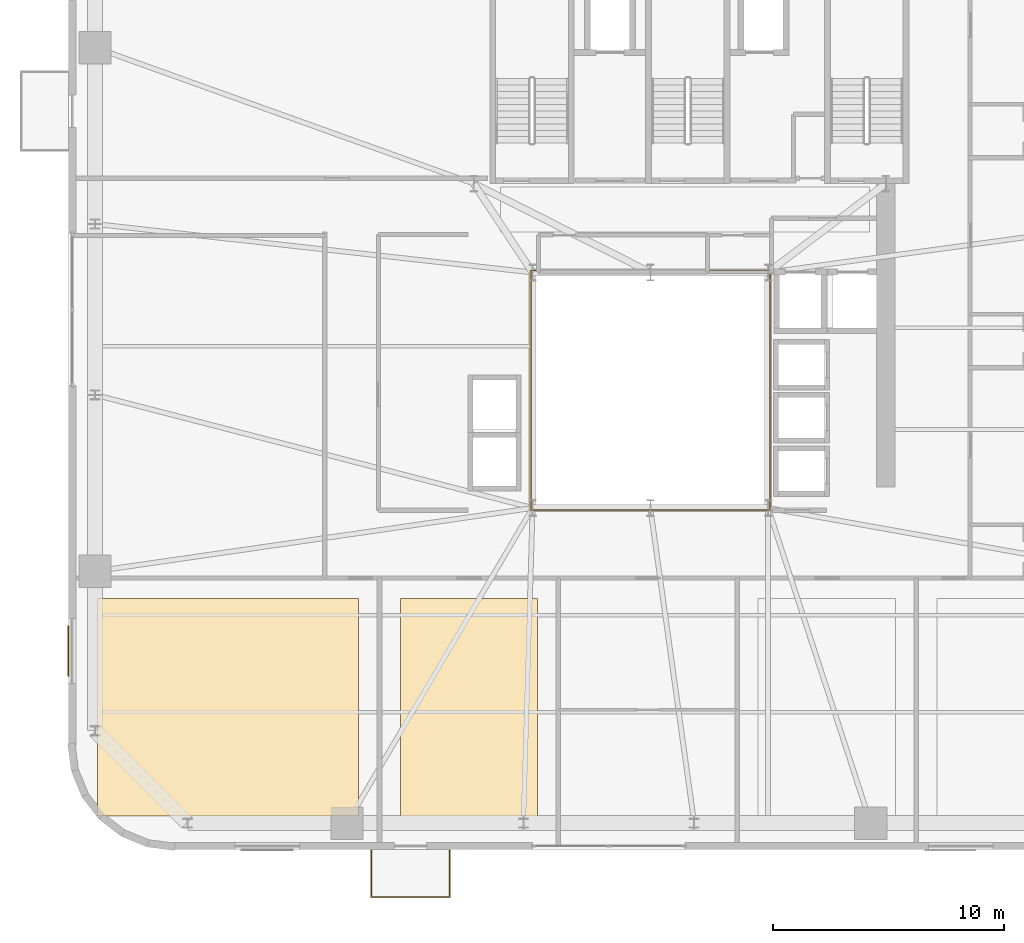
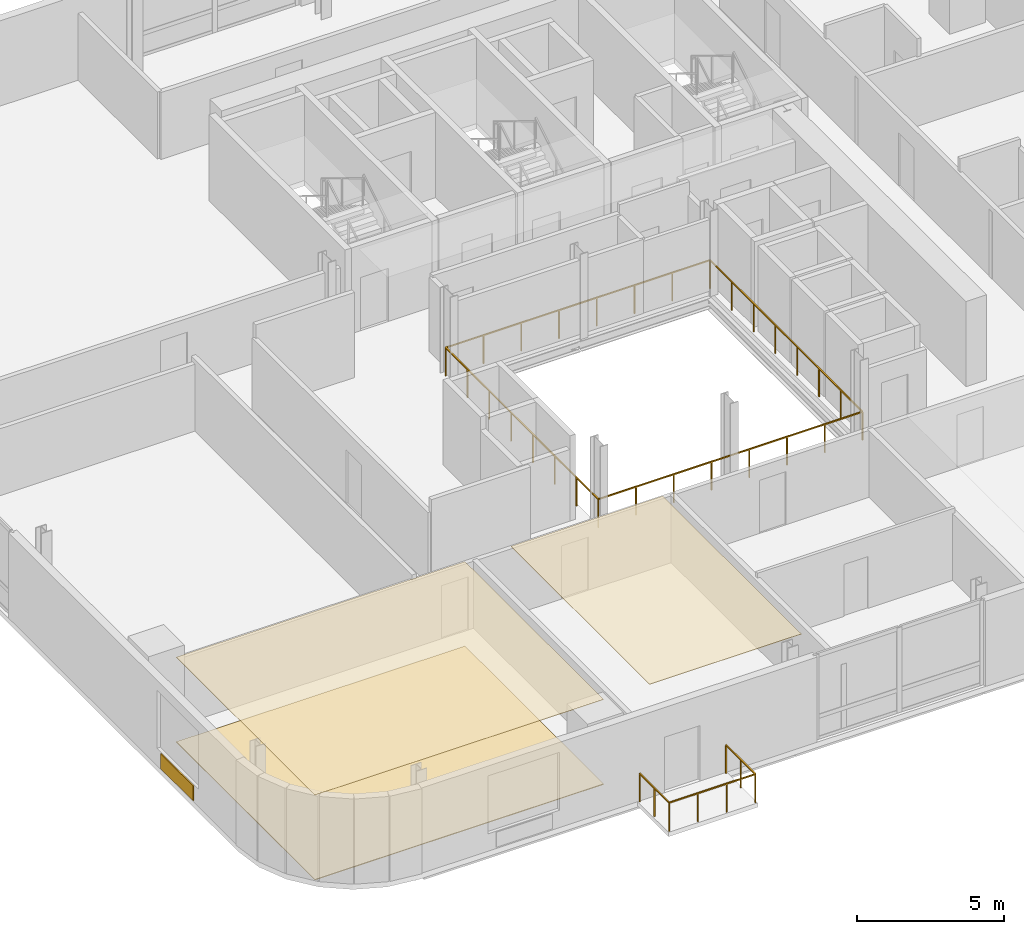
# One storey, part 12 of 16: 4 coverings, 2 railings.
"""IFC4 building model written with IfcOpenShell, lengths in metres."""

from ifc_helpers import new_model, si_unit, direction, frame, origin, origin_2d, place, context, subcontext, project, spatial, polyline, rectangle, outline, extrude, source, transform, mapped, material, layer, layer_set, type_object, element, save


model = new_model("IFC4")

# Units and contexts
model_context = context("Model", 3, precision=1e-05, world=origin(), true_north=direction((0.0, 1.0)))
body_context = subcontext(model_context, "Body", "Model", "MODEL_VIEW")
ifc_project = project(units=[si_unit("LENGTHUNIT", "METRE"), si_unit("AREAUNIT", "SQUARE_METRE"), si_unit("VOLUMEUNIT", "CUBIC_METRE"), si_unit("PLANEANGLEUNIT", "RADIAN"), si_unit("MASSUNIT", "GRAM", prefix="KILO")], contexts=[model_context])

# Site, building, storey
site_placement = place(None, origin())
site = spatial("IfcSite", under=ifc_project, at=site_placement, CompositionType="ELEMENT")
building_placement = place(site_placement, origin())
building = spatial("IfcBuilding", under=site, at=building_placement, Name="Vardaveli Station Tower", CompositionType="ELEMENT")
storey_placement = place(building_placement, frame((0.0, 0.0, 188.550048828125)))
storey = spatial("IfcBuildingStorey", under=building, at=storey_placement, Name="L48", CompositionType="ELEMENT", Elevation=188.550048828125)

# Coverings
ifc_material_1 = material(Name="Perforated acoustic mineral ceiling")
ifc_layer_1 = layer(ifc_material_1, 0.02001953125, Name="Perforated acoustic mineral ceiling")
ifc_layer_set_1 = layer_set([ifc_layer_1], Name="Perforated acoustic mineral ceiling")
covering_type_1 = type_object("IfcCoveringType", Name="COV-CEIL-AC20", PredefinedType="CEILING", material=ifc_layer_set_1)
covering_1_placement = place(storey_placement, frame((0.0, 0.0, 3.514892578125)))
element("IfcCovering", 1, at=covering_1_placement, inside=storey, type_object=covering_type_1, Name="CEIL-L48-1", PredefinedType="CEILING", context=body_context, shape_type="SweptSolid", body=[
    extrude(outline(polyline([(12.35009765625, 3.25), (23.669921875, 3.25), (23.669921875, 12.669921875), (12.35009765625, 12.669921875), (12.35009765625, 3.25)])), origin(), (0.0, 0.0, 1.0), 0.02001953125),
])
covering_2_placement = place(storey_placement, frame((0.0, 0.0, 3.514892578125)))
element("IfcCovering", 2, at=covering_2_placement, inside=storey, type_object=covering_type_1, Name="CEIL-L48-2", PredefinedType="CEILING", context=body_context, shape_type="SweptSolid", body=[
    extrude(outline(polyline([(25.469970703125, 3.25), (31.419921875, 3.25), (31.419921875, 12.669921875), (25.469970703125, 12.669921875), (25.469970703125, 3.25)])), origin(), (0.0, 0.0, 1.0), 0.02001953125),
])
ifc_material_2 = material(Name="Honed Caucasian basalt and travertine flooring", Category="masonry")
ifc_layer_2 = layer(ifc_material_2, 0.030029296875, Name="Honed Caucasian basalt and travertine flooring")
ifc_layer_set_2 = layer_set([ifc_layer_2], Name="Honed Caucasian basalt and travertine flooring")
covering_type_2 = type_object("IfcCoveringType", Name="COV-FLOOR-ST30", PredefinedType="FLOORING", material=ifc_layer_set_2)
covering_3_placement = place(storey_placement, origin())
element("IfcCovering", 3, at=covering_3_placement, inside=storey, type_object=covering_type_2, Name="FLR-L48-1", PredefinedType="FLOORING", context=body_context, shape_type="SweptSolid", body=[
    extrude(outline(polyline([(12.35009765625, 3.25), (23.669921875, 3.25), (23.669921875, 12.669921875), (12.35009765625, 12.669921875), (12.35009765625, 3.25)])), origin(), (0.0, 0.0, 1.0), 0.030029296875),
])
ifc_material_3 = material(Name="Ventilated honed travertine stone cladding", Category="masonry")
ifc_layer_3 = layer(ifc_material_3, 0.044921875, Name="Ventilated honed travertine stone cladding")
ifc_layer_set_3 = layer_set([ifc_layer_3], Name="Ventilated honed travertine stone cladding")
covering_type_3 = type_object("IfcCoveringType", Name="COV-CLAD-TR45", PredefinedType="CLADDING", material=ifc_layer_set_3)
shared_shape_1 = source(origin(), body_context, "Body", "SweptSolid", [
    extrude(rectangle(XDim=2.199951171875, YDim=0.044921875, at=origin_2d()), origin(), (0.0, 0.0, 1.0), 0.6201171875),
])
covering_4_placement = place(storey_placement, frame((11.08544921875, 10.405029296875, 0.06982421875), z_axis=(0.0, 0.0, 1.0), x_axis=(0.0, 1.0, 0.0)))
element("IfcCovering", 4, at=covering_4_placement, inside=storey, type_object=covering_type_3, Name="CLD-TR-L48-W", PredefinedType="CLADDING", context=body_context, shape_type="MappedRepresentation", body=[
    mapped(shared_shape_1, transform((0.0, 0.0, 0.0), scale=1.0)),
])

# Railings
ifc_material_4 = material(Name="Laminated glass and stainless steel balustrade", Category="steel")
railing_type = type_object("IfcRailingType", Name="RL-BAL-1200", PredefinedType="BALUSTRADE", material=ifc_material_4)
shared_shape_2 = source(origin(), body_context, "Body", "SweptSolid", [
    extrude(rectangle(XDim=0.048095703125, YDim=0.048095703125, at=origin_2d()), frame((0.0, 0.0, 1.17578125), z_axis=(0.0, -1.0, 0.0), x_axis=(1.0, 0.0, 0.0)), (0.0, 0.0, 1.0), 2.0),
    extrude(rectangle(XDim=0.048095703125, YDim=0.048095703125, at=origin_2d()), frame((0.0, -2.0, 1.17578125), z_axis=(1.0, 0.0, 0.0), x_axis=(0.0, 1.0, 0.0)), (0.0, 0.0, 1.0), 3.3798828125),
    extrude(rectangle(XDim=0.048095703125, YDim=0.048095703125, at=origin_2d()), frame((3.3798828125, -2.0, 1.17578125), z_axis=(0.0, 1.0, 0.0), x_axis=(-1.0, 0.0, 0.0)), (0.0, 0.0, 1.0), 2.0),
    extrude(rectangle(XDim=0.0419921875, YDim=0.0419921875, at=origin_2d()), origin(), (0.0, 0.0, 1.0), 1.15185546875),
    extrude(rectangle(XDim=0.0419921875, YDim=0.0419921875, at=origin_2d()), frame((0.0, -1.0, 0.0)), (0.0, 0.0, 1.0), 1.15185546875),
    extrude(rectangle(XDim=0.0419921875, YDim=0.0419921875, at=origin_2d()), frame((0.0, -2.0, 0.0)), (0.0, 0.0, 1.0), 1.15185546875),
    extrude(rectangle(XDim=0.0419921875, YDim=0.0419921875, at=origin_2d()), frame((1.126708984375, -2.0, 0.0)), (0.0, 0.0, 1.0), 1.15185546875),
    extrude(rectangle(XDim=0.0419921875, YDim=0.0419921875, at=origin_2d()), frame((2.253173828125, -2.0, 0.0)), (0.0, 0.0, 1.0), 1.15185546875),
    extrude(rectangle(XDim=0.0419921875, YDim=0.0419921875, at=origin_2d()), frame((3.3798828125, -2.0, 0.0)), (0.0, 0.0, 1.0), 1.15185546875),
    extrude(rectangle(XDim=0.0419921875, YDim=0.0419921875, at=origin_2d()), frame((3.3798828125, -1.0, 0.0)), (0.0, 0.0, 1.0), 1.15185546875),
    extrude(rectangle(XDim=0.0419921875, YDim=0.0419921875, at=origin_2d()), frame((3.3798828125, 0.0, 0.0)), (0.0, 0.0, 1.0), 1.15185546875),
])
railing_1_placement = place(storey_placement, frame((24.220458984375, 1.760009765625, 0.0)))
element("IfcRailing", 5, at=railing_1_placement, inside=storey, type_object=railing_type, Name="RL-LOG-L48-01", PredefinedType="BALUSTRADE", context=body_context, shape_type="MappedRepresentation", body=[
    mapped(shared_shape_2, transform((0.0, 0.0, 0.0), scale=1.0)),
])
shared_shape_3 = source(origin(), body_context, "Body", "SweptSolid", [
    extrude(rectangle(XDim=0.048095703125, YDim=0.048095703125, at=origin_2d()), frame((0.0, 0.0, 1.17578125), z_axis=(1.0, 0.0, 0.0), x_axis=(0.0, 1.0, 0.0)), (0.0, 0.0, 1.0), 10.35986328125),
    extrude(rectangle(XDim=0.048095703125, YDim=0.048095703125, at=origin_2d()), frame((10.35986328125, 0.0, 1.17578125), z_axis=(0.0, 1.0, 0.0), x_axis=(-1.0, 0.0, 0.0)), (0.0, 0.0, 1.0), 10.35986328125),
    extrude(rectangle(XDim=0.048095703125, YDim=0.048095703125, at=origin_2d()), frame((10.35986328125, 10.35986328125, 1.17578125), z_axis=(-1.0, 0.0, 0.0), x_axis=(0.0, -1.0, 0.0)), (0.0, 0.0, 1.0), 10.35986328125),
    extrude(rectangle(XDim=0.048095703125, YDim=0.048095703125, at=origin_2d()), frame((0.0, 10.35986328125, 1.17578125), z_axis=(0.0, -1.0, 0.0), x_axis=(1.0, 0.0, 0.0)), (0.0, 0.0, 1.0), 10.35986328125),
    extrude(rectangle(XDim=0.0419921875, YDim=0.0419921875, at=origin_2d()), origin(), (0.0, 0.0, 1.0), 1.15185546875),
    extrude(rectangle(XDim=0.0419921875, YDim=0.0419921875, at=origin_2d()), frame((1.47998046875, 0.0, 0.0)), (0.0, 0.0, 1.0), 1.15185546875),
    extrude(rectangle(XDim=0.0419921875, YDim=0.0419921875, at=origin_2d()), frame((2.9599609375, 0.0, 0.0)), (0.0, 0.0, 1.0), 1.15185546875),
    extrude(rectangle(XDim=0.0419921875, YDim=0.0419921875, at=origin_2d()), frame((4.43994140625, 0.0, 0.0)), (0.0, 0.0, 1.0), 1.15185546875),
    extrude(rectangle(XDim=0.0419921875, YDim=0.0419921875, at=origin_2d()), frame((5.919921875, 0.0, 0.0)), (0.0, 0.0, 1.0), 1.15185546875),
    extrude(rectangle(XDim=0.0419921875, YDim=0.0419921875, at=origin_2d()), frame((7.39990234375, 0.0, 0.0)), (0.0, 0.0, 1.0), 1.15185546875),
    extrude(rectangle(XDim=0.0419921875, YDim=0.0419921875, at=origin_2d()), frame((8.8798828125, 0.0, 0.0)), (0.0, 0.0, 1.0), 1.15185546875),
    extrude(rectangle(XDim=0.0419921875, YDim=0.0419921875, at=origin_2d()), frame((10.35986328125, 0.0, 0.0)), (0.0, 0.0, 1.0), 1.15185546875),
    extrude(rectangle(XDim=0.0419921875, YDim=0.0419921875, at=origin_2d()), frame((10.35986328125, 1.47998046875, 0.0)), (0.0, 0.0, 1.0), 1.15185546875),
    extrude(rectangle(XDim=0.0419921875, YDim=0.0419921875, at=origin_2d()), frame((10.35986328125, 2.9599609375, 0.0)), (0.0, 0.0, 1.0), 1.15185546875),
    extrude(rectangle(XDim=0.0419921875, YDim=0.0419921875, at=origin_2d()), frame((10.35986328125, 4.43994140625, 0.0)), (0.0, 0.0, 1.0), 1.15185546875),
    extrude(rectangle(XDim=0.0419921875, YDim=0.0419921875, at=origin_2d()), frame((10.35986328125, 5.919921875, 0.0)), (0.0, 0.0, 1.0), 1.15185546875),
    extrude(rectangle(XDim=0.0419921875, YDim=0.0419921875, at=origin_2d()), frame((10.35986328125, 7.39990234375, 0.0)), (0.0, 0.0, 1.0), 1.15185546875),
    extrude(rectangle(XDim=0.0419921875, YDim=0.0419921875, at=origin_2d()), frame((10.35986328125, 8.8798828125, 0.0)), (0.0, 0.0, 1.0), 1.15185546875),
    extrude(rectangle(XDim=0.0419921875, YDim=0.0419921875, at=origin_2d()), frame((10.35986328125, 10.35986328125, 0.0)), (0.0, 0.0, 1.0), 1.15185546875),
    extrude(rectangle(XDim=0.0419921875, YDim=0.0419921875, at=origin_2d()), frame((8.8798828125, 10.35986328125, 0.0)), (0.0, 0.0, 1.0), 1.15185546875),
    extrude(rectangle(XDim=0.0419921875, YDim=0.0419921875, at=origin_2d()), frame((7.39990234375, 10.35986328125, 0.0)), (0.0, 0.0, 1.0), 1.15185546875),
    extrude(rectangle(XDim=0.0419921875, YDim=0.0419921875, at=origin_2d()), frame((5.919921875, 10.35986328125, 0.0)), (0.0, 0.0, 1.0), 1.15185546875),
    extrude(rectangle(XDim=0.0419921875, YDim=0.0419921875, at=origin_2d()), frame((4.43994140625, 10.35986328125, 0.0)), (0.0, 0.0, 1.0), 1.15185546875),
    extrude(rectangle(XDim=0.0419921875, YDim=0.0419921875, at=origin_2d()), frame((2.9599609375, 10.35986328125, 0.0)), (0.0, 0.0, 1.0), 1.15185546875),
    extrude(rectangle(XDim=0.0419921875, YDim=0.0419921875, at=origin_2d()), frame((1.47998046875, 10.35986328125, 0.0)), (0.0, 0.0, 1.0), 1.15185546875),
    extrude(rectangle(XDim=0.0419921875, YDim=0.0419921875, at=origin_2d()), frame((0.0, 10.35986328125, 0.0)), (0.0, 0.0, 1.0), 1.15185546875),
    extrude(rectangle(XDim=0.0419921875, YDim=0.0419921875, at=origin_2d()), frame((0.0, 8.8798828125, 0.0)), (0.0, 0.0, 1.0), 1.15185546875),
    extrude(rectangle(XDim=0.0419921875, YDim=0.0419921875, at=origin_2d()), frame((0.0, 7.39990234375, 0.0)), (0.0, 0.0, 1.0), 1.15185546875),
    extrude(rectangle(XDim=0.0419921875, YDim=0.0419921875, at=origin_2d()), frame((0.0, 5.919921875, 0.0)), (0.0, 0.0, 1.0), 1.15185546875),
    extrude(rectangle(XDim=0.0419921875, YDim=0.0419921875, at=origin_2d()), frame((0.0, 4.43994140625, 0.0)), (0.0, 0.0, 1.0), 1.15185546875),
    extrude(rectangle(XDim=0.0419921875, YDim=0.0419921875, at=origin_2d()), frame((0.0, 2.9599609375, 0.0)), (0.0, 0.0, 1.0), 1.15185546875),
    extrude(rectangle(XDim=0.0419921875, YDim=0.0419921875, at=origin_2d()), frame((0.0, 1.47998046875, 0.0)), (0.0, 0.0, 1.0), 1.15185546875),
])
railing_2_placement = place(storey_placement, frame((31.1201171875, 16.52001953125, 0.0)))
element("IfcRailing", 6, at=railing_2_placement, inside=storey, type_object=railing_type, Name="RL-ATR-L48", PredefinedType="BALUSTRADE", context=body_context, shape_type="MappedRepresentation", body=[
    mapped(shared_shape_3, transform((0.0, 0.0, 0.0), scale=1.0)),
])

save(model, "model.ifc")
